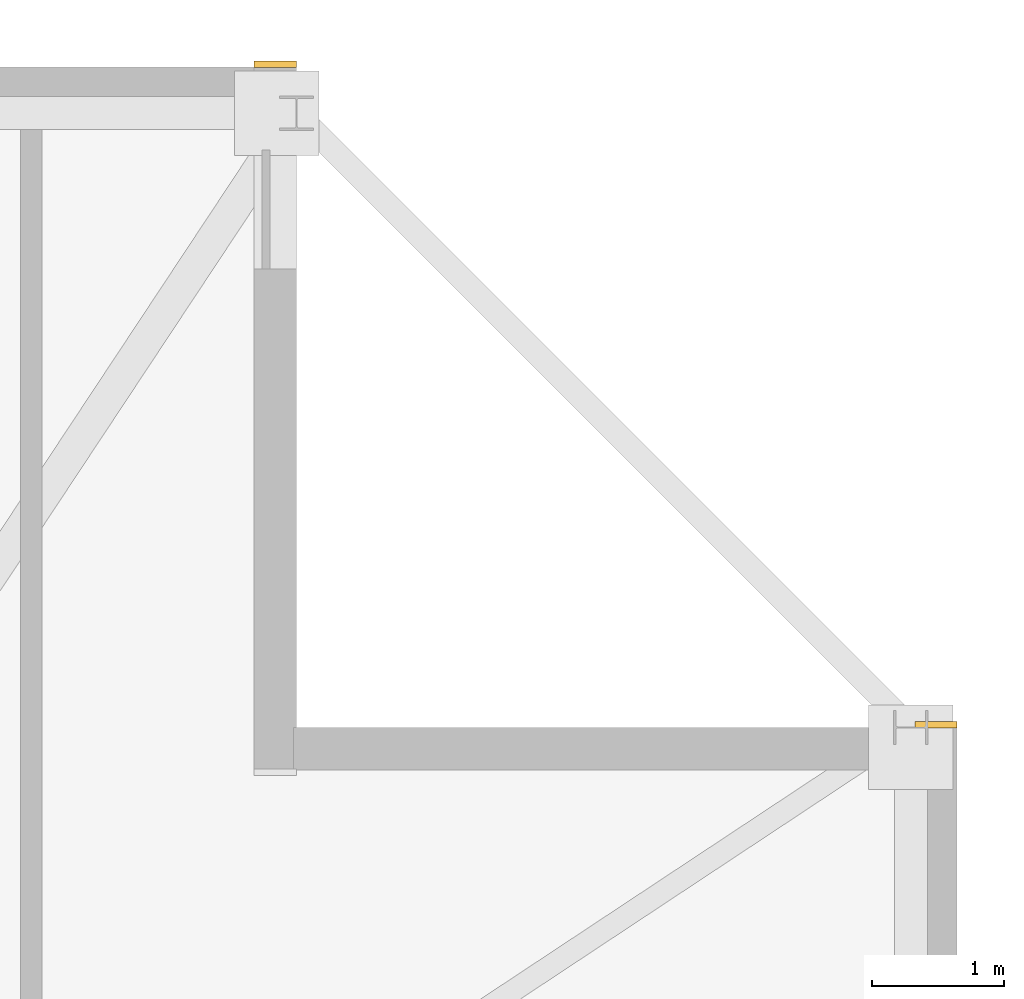
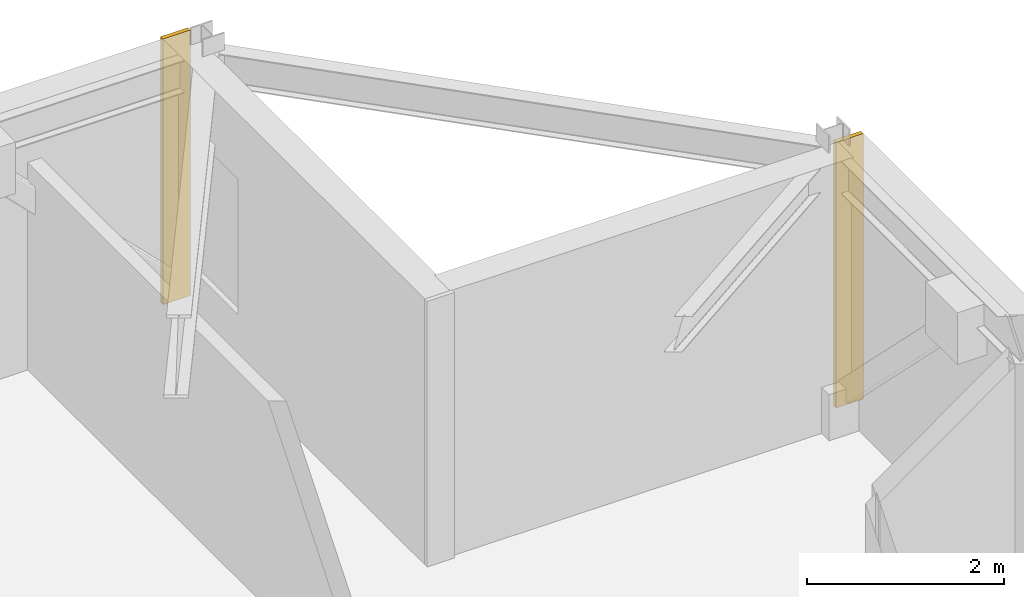
# One storey, part 15 of 15: 2 coverings.
"""IFC4 building model written with IfcOpenShell, lengths in metres."""

from ifc_helpers import new_model, si_unit, direction, frame, frame_2d, origin, place, context, subcontext, project, spatial, rectangle, extrude, material, layer, layer_set, type_object, element, save


model = new_model("IFC4")

# Units and contexts
model_context = context("Model", 3, precision=1e-05, world=origin(), true_north=direction((0.0, 1.0)))
body_context = subcontext(model_context, "Body", "Model", "MODEL_VIEW")
ifc_project = project(units=[si_unit("LENGTHUNIT", "METRE"), si_unit("AREAUNIT", "SQUARE_METRE"), si_unit("VOLUMEUNIT", "CUBIC_METRE"), si_unit("PLANEANGLEUNIT", "RADIAN"), si_unit("MASSUNIT", "GRAM", prefix="KILO")], contexts=[model_context])

# Site, building, storey
site_placement = place(None, origin())
site = spatial("IfcSite", under=ifc_project, at=site_placement, CompositionType="ELEMENT")
building_placement = place(site_placement, origin())
building = spatial("IfcBuilding", under=site, at=building_placement, Name="Cairnveth Concourse Tower", CompositionType="ELEMENT")
storey_placement = place(building_placement, frame((0.0, 0.0, 265.5)))
storey = spatial("IfcBuildingStorey", under=building, at=storey_placement, Name="L73", CompositionType="ELEMENT", Elevation=265.5)

# Coverings
ifc_material = material(Name="Dressed Melbourne Bluestone Cladding", Category="masonry")
ifc_layer = layer(ifc_material, 0.050048828125)
ifc_layer_set = layer_set([ifc_layer], Name="Dressed Melbourne Bluestone Cladding")
covering_type = type_object("IfcCoveringType", Name="DRESSED BLUESTONE PLINTH CLADDING 50", PredefinedType="CLADDING", material=ifc_layer_set)
for number, where, z_axis, x_axis, name in (
    (1, (69.179931640625, 61.52001953125, 0.0), (0.0, 0.0, 1.0), (1.0, 0.0, 0.0), "Melbourne Bluestone Corner Quoin L73-1110"),
    (2, (74.179931640625, 56.52001953125, 0.0), (0.0, 0.0, 1.0), (1.0, 0.0, 0.0), "Melbourne Bluestone Corner Quoin L73-1112"),
):
    element("IfcCovering", number, at=place(storey_placement, frame(where, z_axis=z_axis, x_axis=x_axis)), inside=storey, type_object=covering_type, Name=name, PredefinedType="CLADDING", context=body_context, shape_type="SweptSolid", body=[
        extrude(rectangle(XDim=0.320068359375, YDim=0.050048828125, at=frame_2d((0.16015625, 0.0))), origin(), (0.0, 0.0, 1.0), 3.2900390625),
    ])

save(model, "model.ifc")
